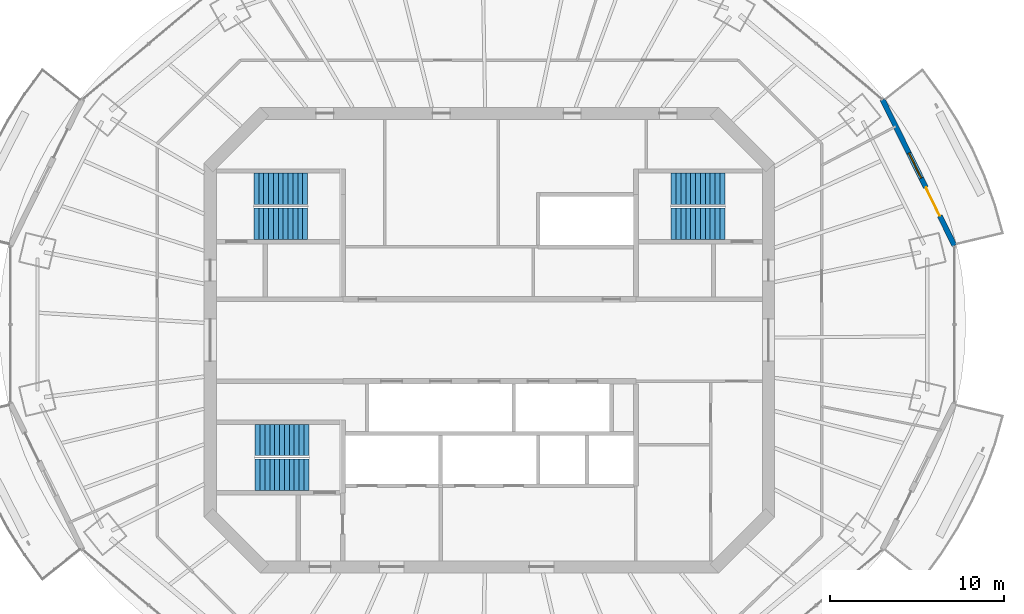
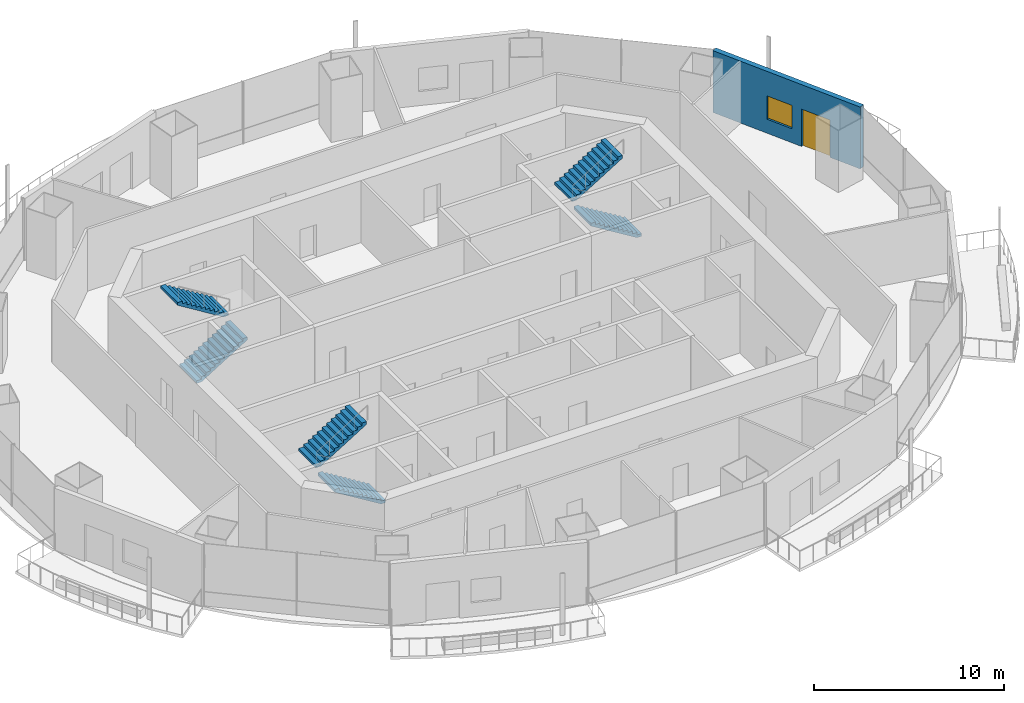
# One storey, part 11 of 16: 6 stair flights, 1 door, 1 wall, 1 window, 2 openings, 3 elements without a shape of their own.
"""IFC4 building model written with IfcOpenShell, lengths in metres."""

from ifc_helpers import new_model, si_unit, direction, frame, frame_2d, origin, place, context, subcontext, project, spatial, polyline, rectangle, outline, extrude, material, layer, layer_set, type_object, element, fill, aggregate, save


model = new_model("IFC4")

# Units and contexts
model_context = context("Model", 3, precision=1e-05, world=origin(), true_north=direction((0.0, 1.0)))
body_context = subcontext(model_context, "Body", "Model", "MODEL_VIEW")
ifc_project = project(units=[si_unit("LENGTHUNIT", "METRE"), si_unit("AREAUNIT", "SQUARE_METRE"), si_unit("VOLUMEUNIT", "CUBIC_METRE"), si_unit("PLANEANGLEUNIT", "RADIAN"), si_unit("MASSUNIT", "GRAM", prefix="KILO")], contexts=[model_context])

# Site, building, storey
site_placement = place(None, origin())
site = spatial("IfcSite", under=ifc_project, at=site_placement, CompositionType="ELEMENT")
building_placement = place(site_placement, origin())
building = spatial("IfcBuilding", under=site, at=building_placement, Name="Marenthal Gate Tower", CompositionType="ELEMENT")
storey_placement = place(building_placement, frame((0.0, 0.0, 321.85009765625)))
storey = spatial("IfcBuildingStorey", under=building, at=storey_placement, Name="L72", CompositionType="ELEMENT", Elevation=321.85009765625)

# Wall, openings, door, window
ifc_material_1 = material(Name="Terracotta cladding on insulated concrete-block backing", Category="masonry")
ifc_layer = layer(ifc_material_1, 0.300048828125)
ifc_layer_set = layer_set([ifc_layer], Name="Terracotta facade wall 300")
wall_type = type_object("IfcWallType", Name="Terracotta facade wall 300", PredefinedType="SOLIDWALL", material=ifc_layer_set)
wall_placement = place(storey_placement, frame((26.661865234375, 5.427490234375, 0.0), z_axis=(0.0, 0.0, 1.0), x_axis=(-0.441801707928, 0.897112730303, 0.0)))
wall = element("IfcWall", 1, at=wall_placement, inside=storey, type_object=wall_type, Name="Terracotta facade wall L72 bay 1", PredefinedType="SOLIDWALL", context=body_context, shape_type="SweptSolid", body=[
    extrude(rectangle(XDim=9.3251953125, YDim=0.300048828125, at=frame_2d((4.66259765625, 0.0))), origin(), (0.0, 0.0, 1.0), 3.969970703125),
])
opening_1_placement = place(wall_placement, frame((1.89990234375, 0.0, 0.0)))
opening_1 = element("IfcOpeningElement", 2, at=opening_1_placement, cuts=wall, Name="Opening BD-L72-01", PredefinedType="OPENING", context=body_context, shape_type="SweptSolid", body=[
    extrude(rectangle(XDim=1.800048828125, YDim=2.39990234375, at=frame_2d((0.89990234375, 1.199951171875))), frame((0.0, 0.16015625, 0.0), z_axis=(0.0, -1.0, 0.0), x_axis=(1.0, 0.0, 0.0)), (0.0, 0.0, 1.0), 0.320068359375),
])
opening_2_placement = place(wall_placement, frame((4.300048828125, 0.0, 0.89990234375)))
opening_2 = element("IfcOpeningElement", 3, at=opening_2_placement, cuts=wall, Name="Opening WN3-L72-01", PredefinedType="OPENING", context=body_context, shape_type="SweptSolid", body=[
    extrude(rectangle(XDim=1.60009765625, YDim=1.5, at=frame_2d((0.800048828125, 0.75))), frame((0.0, 0.16015625, 0.0), z_axis=(0.0, -1.0, 0.0), x_axis=(1.0, 0.0, 0.0)), (0.0, 0.0, 1.0), 0.320068359375),
])
ifc_material_2 = material(Name="Aluminium and glass", Category="aluminium")
door_type = type_object("IfcDoorType", Name="Balcony door 1800x2400", OperationType="DOUBLE_DOOR_SINGLE_SWING", PredefinedType="DOOR", material=ifc_material_2)
door_placement = place(opening_1_placement, origin())
door = element("IfcDoor", 4, at=door_placement, inside=storey, type_object=door_type, Name="Balcony door L72 bay 1", OperationType="SINGLE_SWING_LEFT", OverallHeight=2.39990234375, OverallWidth=1.800048828125, PredefinedType="DOOR", context=body_context, shape_type="SweptSolid", body=[
    extrude(rectangle(XDim=1.800048828125, YDim=2.39990234375, at=frame_2d((0.89990234375, 1.199951171875))), frame((0.0, 0.02490234375, 0.0), z_axis=(0.0, -1.0, 0.0), x_axis=(1.0, 0.0, 0.0)), (0.0, 0.0, 1.0), 0.050048828125),
])
fill(opening_1, door)
ifc_material_3 = material(Name="Aluminium and glass", Category="aluminium")
window_type = type_object("IfcWindowType", Name="Window 1600x1500", PartitioningType="DOUBLE_PANEL_VERTICAL", PredefinedType="WINDOW", material=ifc_material_3)
window_placement = place(opening_2_placement, origin())
window = element("IfcWindow", 5, at=window_placement, inside=storey, type_object=window_type, Name="Window L72 bay 1", OverallHeight=1.5, OverallWidth=1.60009765625, PartitioningType="SINGLE_PANEL", PredefinedType="WINDOW", context=body_context, shape_type="SweptSolid", body=[
    extrude(rectangle(XDim=1.60009765625, YDim=1.5, at=frame_2d((0.800048828125, 0.75))), frame((0.0, 0.030029296875, 0.0), z_axis=(0.0, -1.0, 0.0), x_axis=(1.0, 0.0, 0.0)), (0.0, 0.0, 1.0), 0.06005859375),
])
fill(opening_2, window)

# Stair, stair flights
ifc_material_4 = material(Name="Concrete 40 MPa", Category="concrete")
stair_type = type_object("IfcStairType", Name="Exit stair 1800", PredefinedType="HALF_TURN_STAIR", material=ifc_material_4)
stair_1_placement = place(storey_placement, origin())
stair_1 = element("IfcStair", 6, at=stair_1_placement, inside=storey, type_object=stair_type, Name="Stair ST1", PredefinedType="HALF_TURN_STAIR")
ifc_material_5 = material(Name="Concrete 40 MPa", Category="concrete")
stair_flight_type = type_object("IfcStairFlightType", Name="Stair flight 1800", PredefinedType="STRAIGHT", material=ifc_material_5)
stair_flight_1_placement = place(storey_placement, frame((-13.5, 6.675048828125, 0.0), z_axis=(0.0, 0.0, 1.0), x_axis=(1.0, 0.0, 0.0)))
stair_flight_1 = element("IfcStairFlight", 7, at=stair_flight_1_placement, type_object=stair_flight_type, Name="ST1 flight 1", NumberOfRisers=12, NumberOfTreads=11, PredefinedType="STRAIGHT", RiserHeight=0.172916667, TreadLength=0.28, context=body_context, shape_type="SweptSolid", body=[
    extrude(outline(polyline([(0.0, 0.0), (0.0, 0.1728515625), (0.280029296875, 0.1728515625), (0.280029296875, 0.345947265625), (0.56005859375, 0.345947265625), (0.56005859375, 0.518798828125), (0.840087890625, 0.518798828125), (0.840087890625, 0.691650390625), (1.1201171875, 0.691650390625), (1.1201171875, 0.864501953125), (1.39990234375, 0.864501953125), (1.39990234375, 1.03759765625), (1.679931640625, 1.03759765625), (1.679931640625, 1.21044921875), (1.9599609375, 1.21044921875), (1.9599609375, 1.38330078125), (2.239990234375, 1.38330078125), (2.239990234375, 1.55615234375), (2.52001953125, 1.55615234375), (2.52001953125, 1.729248046875), (2.800048828125, 1.729248046875), (2.800048828125, 1.902099609375), (3.080078125, 1.902099609375), (3.080078125, 2.074951171875), (3.080078125, 1.725830078125), (0.285400390625, 0.0), (0.0, 0.0)])), frame((0.0, 0.89990234375, 0.0), z_axis=(0.0, -1.0, 0.0), x_axis=(1.0, 0.0, 0.0)), (0.0, 0.0, 1.0), 1.800048828125),
])
stair_flight_2_placement = place(storey_placement, frame((-10.419921875, 8.675048828125, 2.074951171875), z_axis=(0.0, 0.0, 1.0), x_axis=(-1.0, 0.0, 0.0)))
stair_flight_2 = element("IfcStairFlight", 8, at=stair_flight_2_placement, type_object=stair_flight_type, Name="ST1 flight 2", NumberOfRisers=12, NumberOfTreads=11, PredefinedType="STRAIGHT", RiserHeight=0.172916667, TreadLength=0.28, context=body_context, shape_type="SweptSolid", body=[
    extrude(outline(polyline([(0.0, 0.0), (0.0, 0.1728515625), (0.280029296875, 0.1728515625), (0.280029296875, 0.345947265625), (0.56005859375, 0.345947265625), (0.56005859375, 0.518798828125), (0.840087890625, 0.518798828125), (0.840087890625, 0.691650390625), (1.1201171875, 0.691650390625), (1.1201171875, 0.864501953125), (1.39990234375, 0.864501953125), (1.39990234375, 1.03759765625), (1.679931640625, 1.03759765625), (1.679931640625, 1.21044921875), (1.9599609375, 1.21044921875), (1.9599609375, 1.38330078125), (2.239990234375, 1.38330078125), (2.239990234375, 1.55615234375), (2.52001953125, 1.55615234375), (2.52001953125, 1.729248046875), (2.800048828125, 1.729248046875), (2.800048828125, 1.902099609375), (3.080078125, 1.902099609375), (3.080078125, 2.074951171875), (3.080078125, 1.725830078125), (0.285400390625, 0.0), (0.0, 0.0)])), frame((0.0, 0.89990234375, 0.0), z_axis=(0.0, -1.0, 0.0), x_axis=(1.0, 0.0, 0.0)), (0.0, 0.0, 1.0), 1.800048828125),
])
aggregate(stair_1, [stair_flight_1, stair_flight_2])

stair_2_placement = place(storey_placement, origin())
stair_2 = element("IfcStair", 9, at=stair_2_placement, inside=storey, type_object=stair_type, Name="Stair ST2", PredefinedType="HALF_TURN_STAIR")
stair_flight_3_placement = place(storey_placement, frame((-10.35009765625, -7.72509765625, 0.0), z_axis=(0.0, 0.0, 1.0), x_axis=(-1.0, 0.0, 0.0)))
stair_flight_3 = element("IfcStairFlight", 10, at=stair_flight_3_placement, type_object=stair_flight_type, Name="ST2 flight 1", NumberOfRisers=12, NumberOfTreads=11, PredefinedType="STRAIGHT", RiserHeight=0.172916667, TreadLength=0.28, context=body_context, shape_type="SweptSolid", body=[
    extrude(outline(polyline([(0.0, 0.0), (0.0, 0.1728515625), (0.280029296875, 0.1728515625), (0.280029296875, 0.345947265625), (0.56005859375, 0.345947265625), (0.56005859375, 0.518798828125), (0.840087890625, 0.518798828125), (0.840087890625, 0.691650390625), (1.1201171875, 0.691650390625), (1.1201171875, 0.864501953125), (1.39990234375, 0.864501953125), (1.39990234375, 1.03759765625), (1.679931640625, 1.03759765625), (1.679931640625, 1.21044921875), (1.9599609375, 1.21044921875), (1.9599609375, 1.38330078125), (2.239990234375, 1.38330078125), (2.239990234375, 1.55615234375), (2.52001953125, 1.55615234375), (2.52001953125, 1.729248046875), (2.800048828125, 1.729248046875), (2.800048828125, 1.902099609375), (3.080078125, 1.902099609375), (3.080078125, 2.074951171875), (3.080078125, 1.725830078125), (0.285400390625, 0.0), (0.0, 0.0)])), frame((0.0, 0.89990234375, 0.0), z_axis=(0.0, -1.0, 0.0), x_axis=(1.0, 0.0, 0.0)), (0.0, 0.0, 1.0), 1.800048828125),
])
stair_flight_4_placement = place(storey_placement, frame((-13.429931640625, -5.72509765625, 2.074951171875), z_axis=(0.0, 0.0, 1.0), x_axis=(1.0, 0.0, 0.0)))
stair_flight_4 = element("IfcStairFlight", 11, at=stair_flight_4_placement, type_object=stair_flight_type, Name="ST2 flight 2", NumberOfRisers=12, NumberOfTreads=11, PredefinedType="STRAIGHT", RiserHeight=0.172916667, TreadLength=0.28, context=body_context, shape_type="SweptSolid", body=[
    extrude(outline(polyline([(0.0, 0.0), (0.0, 0.1728515625), (0.280029296875, 0.1728515625), (0.280029296875, 0.345947265625), (0.56005859375, 0.345947265625), (0.56005859375, 0.518798828125), (0.840087890625, 0.518798828125), (0.840087890625, 0.691650390625), (1.1201171875, 0.691650390625), (1.1201171875, 0.864501953125), (1.39990234375, 0.864501953125), (1.39990234375, 1.03759765625), (1.679931640625, 1.03759765625), (1.679931640625, 1.21044921875), (1.9599609375, 1.21044921875), (1.9599609375, 1.38330078125), (2.239990234375, 1.38330078125), (2.239990234375, 1.55615234375), (2.52001953125, 1.55615234375), (2.52001953125, 1.729248046875), (2.800048828125, 1.729248046875), (2.800048828125, 1.902099609375), (3.080078125, 1.902099609375), (3.080078125, 2.074951171875), (3.080078125, 1.725830078125), (0.285400390625, 0.0), (0.0, 0.0)])), frame((0.0, 0.89990234375, 0.0), z_axis=(0.0, -1.0, 0.0), x_axis=(1.0, 0.0, 0.0)), (0.0, 0.0, 1.0), 1.800048828125),
])
aggregate(stair_2, [stair_flight_3, stair_flight_4])

stair_3_placement = place(storey_placement, origin())
stair_3 = element("IfcStair", 12, at=stair_3_placement, inside=storey, type_object=stair_type, Name="Stair ST3", PredefinedType="HALF_TURN_STAIR")
stair_flight_5_placement = place(storey_placement, frame((13.5, 6.675048828125, 0.0), z_axis=(0.0, 0.0, 1.0), x_axis=(-1.0, 0.0, 0.0)))
stair_flight_5 = element("IfcStairFlight", 13, at=stair_flight_5_placement, type_object=stair_flight_type, Name="ST3 flight 1", NumberOfRisers=12, NumberOfTreads=11, PredefinedType="STRAIGHT", RiserHeight=0.172916667, TreadLength=0.28, context=body_context, shape_type="SweptSolid", body=[
    extrude(outline(polyline([(0.0, 0.0), (0.0, 0.1728515625), (0.280029296875, 0.1728515625), (0.280029296875, 0.345947265625), (0.56005859375, 0.345947265625), (0.56005859375, 0.518798828125), (0.840087890625, 0.518798828125), (0.840087890625, 0.691650390625), (1.1201171875, 0.691650390625), (1.1201171875, 0.864501953125), (1.39990234375, 0.864501953125), (1.39990234375, 1.03759765625), (1.679931640625, 1.03759765625), (1.679931640625, 1.21044921875), (1.9599609375, 1.21044921875), (1.9599609375, 1.38330078125), (2.239990234375, 1.38330078125), (2.239990234375, 1.55615234375), (2.52001953125, 1.55615234375), (2.52001953125, 1.729248046875), (2.800048828125, 1.729248046875), (2.800048828125, 1.902099609375), (3.080078125, 1.902099609375), (3.080078125, 2.074951171875), (3.080078125, 1.725830078125), (0.285400390625, 0.0), (0.0, 0.0)])), frame((0.0, 0.89990234375, 0.0), z_axis=(0.0, -1.0, 0.0), x_axis=(1.0, 0.0, 0.0)), (0.0, 0.0, 1.0), 1.800048828125),
])
stair_flight_6_placement = place(storey_placement, frame((10.419921875, 8.675048828125, 2.074951171875), z_axis=(0.0, 0.0, 1.0), x_axis=(1.0, 0.0, 0.0)))
stair_flight_6 = element("IfcStairFlight", 14, at=stair_flight_6_placement, type_object=stair_flight_type, Name="ST3 flight 2", NumberOfRisers=12, NumberOfTreads=11, PredefinedType="STRAIGHT", RiserHeight=0.172916667, TreadLength=0.28, context=body_context, shape_type="SweptSolid", body=[
    extrude(outline(polyline([(0.0, 0.0), (0.0, 0.1728515625), (0.280029296875, 0.1728515625), (0.280029296875, 0.345947265625), (0.56005859375, 0.345947265625), (0.56005859375, 0.518798828125), (0.840087890625, 0.518798828125), (0.840087890625, 0.691650390625), (1.1201171875, 0.691650390625), (1.1201171875, 0.864501953125), (1.39990234375, 0.864501953125), (1.39990234375, 1.03759765625), (1.679931640625, 1.03759765625), (1.679931640625, 1.21044921875), (1.9599609375, 1.21044921875), (1.9599609375, 1.38330078125), (2.239990234375, 1.38330078125), (2.239990234375, 1.55615234375), (2.52001953125, 1.55615234375), (2.52001953125, 1.729248046875), (2.800048828125, 1.729248046875), (2.800048828125, 1.902099609375), (3.080078125, 1.902099609375), (3.080078125, 2.074951171875), (3.080078125, 1.725830078125), (0.285400390625, 0.0), (0.0, 0.0)])), frame((0.0, 0.89990234375, 0.0), z_axis=(0.0, -1.0, 0.0), x_axis=(1.0, 0.0, 0.0)), (0.0, 0.0, 1.0), 1.800048828125),
])
aggregate(stair_3, [stair_flight_5, stair_flight_6])

save(model, "model.ifc")
